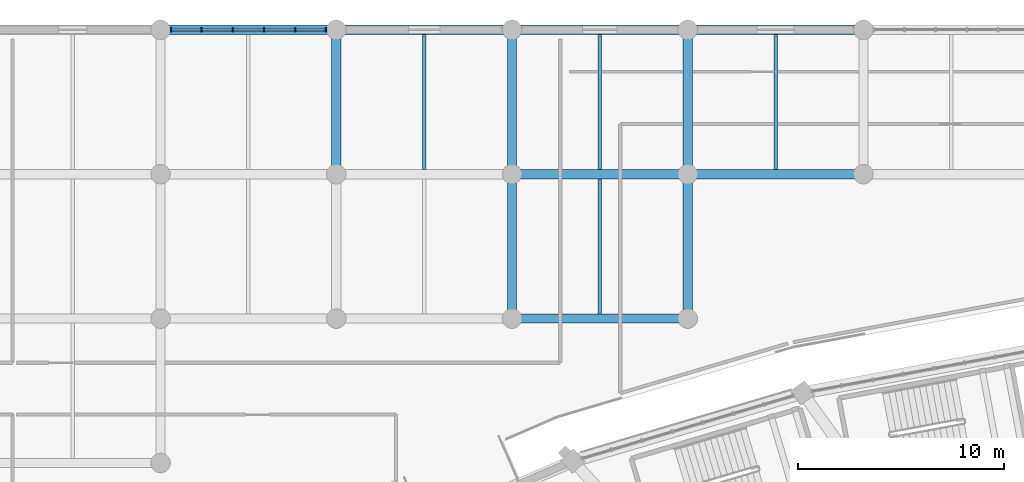
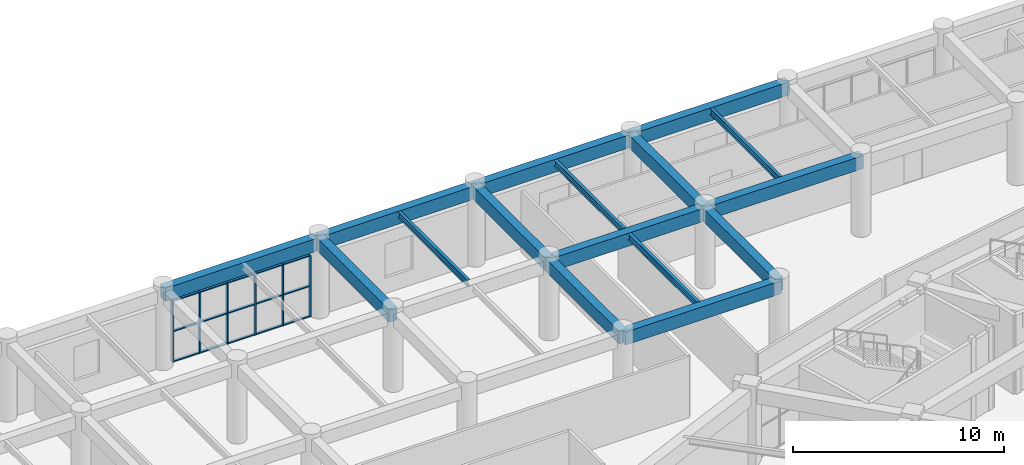
# One storey, part 61 of 152: 21 members, 16 beams, 1 element without a shape of its own.
"""IFC4 building model written with IfcOpenShell, lengths in metres."""

from ifc_helpers import new_model, si_unit, direction, frame, origin, origin_2d, place, context, subcontext, project, spatial, rectangle, i_section, extrude, material, layer, layer_set, material_profile, profile_set, type_object, element, aggregate, save


model = new_model("IFC4")

# Units and contexts
model_context = context("Model", 3, precision=1e-05, world=origin(), true_north=direction((0.0, 1.0)))
body_context = subcontext(model_context, "Body", "Model", "MODEL_VIEW")
ifc_project = project(units=[si_unit("LENGTHUNIT", "METRE"), si_unit("AREAUNIT", "SQUARE_METRE"), si_unit("VOLUMEUNIT", "CUBIC_METRE"), si_unit("PLANEANGLEUNIT", "RADIAN"), si_unit("MASSUNIT", "GRAM", prefix="KILO")], contexts=[model_context])

# Site, building, storey
site_placement = place(None, origin())
site = spatial("IfcSite", under=ifc_project, at=site_placement, CompositionType="ELEMENT")
building_placement = place(site_placement, origin())
building = spatial("IfcBuilding", under=site, at=building_placement, Name="Mphavela Belvedere Stadium", CompositionType="ELEMENT")
storey_placement = place(building_placement, frame((0.0, 0.0, 5.39990234375)))
storey = spatial("IfcBuildingStorey", under=building, at=storey_placement, Name="L01", CompositionType="ELEMENT", Elevation=5.39990234375)

# Beams
ifc_material_1 = material(Name="Steel S355", Category="steel")
ifc_material_profile_1 = material_profile(ifc_material_1, i_section(OverallWidth=0.169921875, OverallDepth=0.360107421875, WebThickness=0.008056640625, FlangeThickness=0.0126953125, at=origin_2d()), Name="IPE 360")
ifc_profile_set_1 = profile_set([ifc_material_profile_1], Name="Steel S355")
beam_type_1 = type_object("IfcBeamType", Name="BM-JOIST-IPE360", PredefinedType="JOIST", material=ifc_profile_set_1)
for number, where, z_axis, x_axis, name in (
    (1, (46.85205078125, 167.22509765625, 4.360107421875), (0.0, 1.0, 0.0), (-1.0, 0.0, 0.0), "North Mast and Ceremonial End Forecourt secondary joist L01 6-7"),
    (2, (55.37060546875, 160.22509765625, 4.360107421875), (0.0, 1.0, 0.0), (-1.0, 0.0, 0.0), "North Mast and Ceremonial End Forecourt secondary joist L01 7-6"),
    (3, (55.37060546875, 167.22509765625, 4.360107421875), (0.0, 1.0, 0.0), (-1.0, 0.0, 0.0), "North Mast and Ceremonial End Forecourt secondary joist L01 7-7"),
    (4, (63.888916015625, 167.22509765625, 4.360107421875), (0.0, 1.0, 0.0), (-1.0, 0.0, 0.0), "North Mast and Ceremonial End Forecourt secondary joist L01 8-7"),
):
    element("IfcBeam", number, at=place(storey_placement, frame(where, z_axis=z_axis, x_axis=x_axis)), inside=storey, type_object=beam_type_1, Name=name, PredefinedType="JOIST", context=body_context, shape_type="SweptSolid", body=[
        extrude(i_section(OverallWidth=0.169921875, OverallDepth=0.360107421875, WebThickness=0.008056640625, FlangeThickness=0.0126953125, at=origin_2d()), origin(), (0.0, 0.0, 1.0), 6.5498046875),
    ])
ifc_material_2 = material(Name="Concrete C40/50", Category="concrete")
ifc_material_profile_2 = material_profile(ifc_material_2, rectangle(XDim=0.449951171875, YDim=0.75, at=origin_2d()), Name="RC 450x750")
ifc_profile_set_2 = profile_set([ifc_material_profile_2], Name="Concrete C40/50")
beam_type_2 = type_object("IfcBeamType", Name="BM-RC450x750", PredefinedType="BEAM", material=ifc_profile_set_2)
beam_1_placement = place(storey_placement, frame((34.073974609375, 174.0, 4.1650390625), z_axis=(1.0, 0.0, 0.0), x_axis=(0.0, 1.0, 0.0)))
element("IfcBeam", 5, at=beam_1_placement, inside=storey, type_object=beam_type_2, Name="North Mast and Ceremonial End Forecourt entablature beam X L01 5-8", PredefinedType="BEAM", context=body_context, shape_type="SweptSolid", body=[
    extrude(rectangle(XDim=0.449951171875, YDim=0.75, at=origin_2d()), origin(), (0.0, 0.0, 1.0), 8.51904296875),
])
beam_2_placement = place(storey_placement, frame((42.593017578125, 167.0, 4.1650390625), z_axis=(0.0, 1.0, 0.0), x_axis=(-1.0, 0.0, 0.0)))
element("IfcBeam", 6, at=beam_2_placement, inside=storey, type_object=beam_type_2, Name="North Mast and Ceremonial End Forecourt entablature beam Y L01 6-7", PredefinedType="BEAM", context=body_context, shape_type="SweptSolid", body=[
    extrude(rectangle(XDim=0.449951171875, YDim=0.75, at=origin_2d()), origin(), (0.0, 0.0, 1.0), 7.0),
])
beam_3_placement = place(storey_placement, frame((42.593017578125, 174.0, 4.1650390625), z_axis=(1.0, 0.0, 0.0), x_axis=(0.0, 1.0, 0.0)))
element("IfcBeam", 7, at=beam_3_placement, inside=storey, type_object=beam_type_2, Name="North Mast and Ceremonial End Forecourt entablature beam X L01 6-8", PredefinedType="BEAM", context=body_context, shape_type="SweptSolid", body=[
    extrude(rectangle(XDim=0.449951171875, YDim=0.75, at=origin_2d()), origin(), (0.0, 0.0, 1.0), 8.51806640625),
])
beam_4_placement = place(storey_placement, frame((51.111083984375, 160.0, 4.1650390625), z_axis=(1.0, 0.0, 0.0), x_axis=(0.0, 1.0, 0.0)))
element("IfcBeam", 8, at=beam_4_placement, inside=storey, type_object=beam_type_2, Name="North Mast and Ceremonial End Forecourt entablature beam X L01 7-6", PredefinedType="BEAM", context=body_context, shape_type="SweptSolid", body=[
    extrude(rectangle(XDim=0.449951171875, YDim=0.75, at=origin_2d()), origin(), (0.0, 0.0, 1.0), 8.518798828125),
])
beam_5_placement = place(storey_placement, frame((51.111083984375, 160.0, 4.1650390625), z_axis=(0.0, 1.0, 0.0), x_axis=(-1.0, 0.0, 0.0)))
element("IfcBeam", 9, at=beam_5_placement, inside=storey, type_object=beam_type_2, Name="North Mast and Ceremonial End Forecourt entablature beam Y L01 7-6", PredefinedType="BEAM", context=body_context, shape_type="SweptSolid", body=[
    extrude(rectangle(XDim=0.449951171875, YDim=0.75, at=origin_2d()), origin(), (0.0, 0.0, 1.0), 7.0),
])
beam_6_placement = place(storey_placement, frame((51.111083984375, 167.0, 4.1650390625), z_axis=(1.0, 0.0, 0.0), x_axis=(0.0, 1.0, 0.0)))
element("IfcBeam", 10, at=beam_6_placement, inside=storey, type_object=beam_type_2, Name="North Mast and Ceremonial End Forecourt entablature beam X L01 7-7", PredefinedType="BEAM", context=body_context, shape_type="SweptSolid", body=[
    extrude(rectangle(XDim=0.449951171875, YDim=0.75, at=origin_2d()), origin(), (0.0, 0.0, 1.0), 8.518798828125),
])
beam_7_placement = place(storey_placement, frame((51.111083984375, 167.0, 4.1650390625), z_axis=(0.0, 1.0, 0.0), x_axis=(-1.0, 0.0, 0.0)))
element("IfcBeam", 11, at=beam_7_placement, inside=storey, type_object=beam_type_2, Name="North Mast and Ceremonial End Forecourt entablature beam Y L01 7-7", PredefinedType="BEAM", context=body_context, shape_type="SweptSolid", body=[
    extrude(rectangle(XDim=0.449951171875, YDim=0.75, at=origin_2d()), origin(), (0.0, 0.0, 1.0), 7.0),
])
beam_8_placement = place(storey_placement, frame((51.111083984375, 174.0, 4.1650390625), z_axis=(1.0, 0.0, 0.0), x_axis=(0.0, 1.0, 0.0)))
element("IfcBeam", 12, at=beam_8_placement, inside=storey, type_object=beam_type_2, Name="North Mast and Ceremonial End Forecourt entablature beam X L01 7-8", PredefinedType="BEAM", context=body_context, shape_type="SweptSolid", body=[
    extrude(rectangle(XDim=0.449951171875, YDim=0.75, at=origin_2d()), origin(), (0.0, 0.0, 1.0), 8.518798828125),
])
beam_9_placement = place(storey_placement, frame((59.6298828125, 160.0, 4.1650390625), z_axis=(0.0, 1.0, 0.0), x_axis=(-1.0, 0.0, 0.0)))
element("IfcBeam", 13, at=beam_9_placement, inside=storey, type_object=beam_type_2, Name="North Mast and Ceremonial End Forecourt entablature beam Y L01 8-6", PredefinedType="BEAM", context=body_context, shape_type="SweptSolid", body=[
    extrude(rectangle(XDim=0.449951171875, YDim=0.75, at=origin_2d()), origin(), (0.0, 0.0, 1.0), 7.0),
])
beam_10_placement = place(storey_placement, frame((59.6298828125, 167.0, 4.1650390625), z_axis=(1.0, 0.0, 0.0), x_axis=(0.0, 1.0, 0.0)))
element("IfcBeam", 14, at=beam_10_placement, inside=storey, type_object=beam_type_2, Name="North Mast and Ceremonial End Forecourt entablature beam X L01 8-7", PredefinedType="BEAM", context=body_context, shape_type="SweptSolid", body=[
    extrude(rectangle(XDim=0.449951171875, YDim=0.75, at=origin_2d()), origin(), (0.0, 0.0, 1.0), 8.51806640625),
])
beam_11_placement = place(storey_placement, frame((59.6298828125, 167.0, 4.1650390625), z_axis=(0.0, 1.0, 0.0), x_axis=(-1.0, 0.0, 0.0)))
element("IfcBeam", 15, at=beam_11_placement, inside=storey, type_object=beam_type_2, Name="North Mast and Ceremonial End Forecourt entablature beam Y L01 8-7", PredefinedType="BEAM", context=body_context, shape_type="SweptSolid", body=[
    extrude(rectangle(XDim=0.449951171875, YDim=0.75, at=origin_2d()), origin(), (0.0, 0.0, 1.0), 7.0),
])
beam_12_placement = place(storey_placement, frame((59.6298828125, 174.0, 4.1650390625), z_axis=(1.0, 0.0, 0.0), x_axis=(0.0, 1.0, 0.0)))
element("IfcBeam", 16, at=beam_12_placement, inside=storey, type_object=beam_type_2, Name="North Mast and Ceremonial End Forecourt entablature beam X L01 8-8", PredefinedType="BEAM", context=body_context, shape_type="SweptSolid", body=[
    extrude(rectangle(XDim=0.449951171875, YDim=0.75, at=origin_2d()), origin(), (0.0, 0.0, 1.0), 8.51806640625),
])

# Curtain wall, members
ifc_material_3 = material(Name="Anodised bronze unitised curtain wall framing")
ifc_layer = layer(ifc_material_3, 0.179931640625)
ifc_layer_set = layer_set([ifc_layer], Name="Anodised bronze unitised curtain wall framing")
curtain_wall_type = type_object("IfcCurtainWallType", Name="CW-UNIT-01", PredefinedType="USERDEFINED", material=ifc_layer_set)
curtain_wall_placement = place(storey_placement, origin())
curtain_wall = element("IfcCurtainWall", 17, at=curtain_wall_placement, inside=storey, type_object=curtain_wall_type, Name="North Mast and Ceremonial End Forecourt gallery curtain wall L01-05", ObjectType="UNITISED CURTAIN WALL", PredefinedType="USERDEFINED")
ifc_material_4 = material(Name="Anodised bronze extruded aluminium", Category="aluminium")
ifc_material_profile_3 = material_profile(ifc_material_4, rectangle(XDim=0.179931640625, YDim=0.06494140625, at=origin_2d()), Name="CW-MUL 180x65")
ifc_profile_set_3 = profile_set([ifc_material_profile_3], Name="Anodised bronze extruded aluminium")
member_type_1 = type_object("IfcMemberType", Name="CWM-180x65", PredefinedType="MULLION", material=ifc_profile_set_3)
member_1_placement = place(storey_placement, frame((34.57958984375, 174.0, 0.0), z_axis=(0.0, 0.0, 1.0), x_axis=(0.0, 1.0, 0.0)))
member_1 = element("IfcMember", 18, at=member_1_placement, type_object=member_type_1, Name="CW-01 mullion 1", PredefinedType="MULLION", context=body_context, shape_type="SweptSolid", body=[
    extrude(rectangle(XDim=0.179931640625, YDim=0.06494140625, at=origin_2d()), origin(), (0.0, 0.0, 1.0), 3.56005859375),
])
member_2_placement = place(storey_placement, frame((36.0615234375, 174.0, 0.0), z_axis=(0.0, 0.0, 1.0), x_axis=(0.0, 1.0, 0.0)))
member_2 = element("IfcMember", 19, at=member_2_placement, type_object=member_type_1, Name="CW-01 mullion 2", PredefinedType="MULLION", context=body_context, shape_type="SweptSolid", body=[
    extrude(rectangle(XDim=0.179931640625, YDim=0.06494140625, at=origin_2d()), origin(), (0.0, 0.0, 1.0), 3.56005859375),
])
member_3_placement = place(storey_placement, frame((37.576171875, 174.0, 0.0), z_axis=(0.0, 0.0, 1.0), x_axis=(0.0, 1.0, 0.0)))
member_3 = element("IfcMember", 20, at=member_3_placement, type_object=member_type_1, Name="CW-01 mullion 3", PredefinedType="MULLION", context=body_context, shape_type="SweptSolid", body=[
    extrude(rectangle(XDim=0.179931640625, YDim=0.06494140625, at=origin_2d()), origin(), (0.0, 0.0, 1.0), 3.56005859375),
])
member_4_placement = place(storey_placement, frame((39.0908203125, 174.0, 0.0), z_axis=(0.0, 0.0, 1.0), x_axis=(0.0, 1.0, 0.0)))
member_4 = element("IfcMember", 21, at=member_4_placement, type_object=member_type_1, Name="CW-01 mullion 4", PredefinedType="MULLION", context=body_context, shape_type="SweptSolid", body=[
    extrude(rectangle(XDim=0.179931640625, YDim=0.06494140625, at=origin_2d()), origin(), (0.0, 0.0, 1.0), 3.56005859375),
])
member_5_placement = place(storey_placement, frame((40.60546875, 174.0, 0.0), z_axis=(0.0, 0.0, 1.0), x_axis=(0.0, 1.0, 0.0)))
member_5 = element("IfcMember", 22, at=member_5_placement, type_object=member_type_1, Name="CW-01 mullion 5", PredefinedType="MULLION", context=body_context, shape_type="SweptSolid", body=[
    extrude(rectangle(XDim=0.179931640625, YDim=0.06494140625, at=origin_2d()), origin(), (0.0, 0.0, 1.0), 3.56005859375),
])
member_6_placement = place(storey_placement, frame((42.08740234375, 174.0, 0.0), z_axis=(0.0, 0.0, 1.0), x_axis=(0.0, 1.0, 0.0)))
member_6 = element("IfcMember", 23, at=member_6_placement, type_object=member_type_1, Name="CW-01 mullion 6", PredefinedType="MULLION", context=body_context, shape_type="SweptSolid", body=[
    extrude(rectangle(XDim=0.179931640625, YDim=0.06494140625, at=origin_2d()), origin(), (0.0, 0.0, 1.0), 3.56005859375),
])
ifc_material_5 = material(Name="Anodised bronze extruded aluminium", Category="aluminium")
ifc_material_profile_4 = material_profile(ifc_material_5, rectangle(XDim=0.139892578125, YDim=0.06005859375, at=origin_2d()), Name="CW-TRN 140x60")
ifc_profile_set_4 = profile_set([ifc_material_profile_4], Name="Anodised bronze extruded aluminium")
member_type_2 = type_object("IfcMemberType", Name="CWT-140x60", PredefinedType="USERDEFINED", material=ifc_profile_set_4)
member_7_placement = place(storey_placement, frame((34.612060546875, 174.0, 0.030029296875), z_axis=(1.0, 0.0, 0.0), x_axis=(0.0, 1.0, 0.0)))
member_7 = element("IfcMember", 24, at=member_7_placement, type_object=member_type_2, Name="CW-01 transom 1.1", ObjectType="TRANSOM", PredefinedType="USERDEFINED", context=body_context, shape_type="SweptSolid", body=[
    extrude(rectangle(XDim=0.139892578125, YDim=0.06005859375, at=origin_2d()), origin(), (0.0, 0.0, 1.0), 1.4169921875),
])
member_8_placement = place(storey_placement, frame((34.612060546875, 174.0, 1.780029296875), z_axis=(1.0, 0.0, 0.0), x_axis=(0.0, 1.0, 0.0)))
member_8 = element("IfcMember", 25, at=member_8_placement, type_object=member_type_2, Name="CW-01 transom 1.2", ObjectType="TRANSOM", PredefinedType="USERDEFINED", context=body_context, shape_type="SweptSolid", body=[
    extrude(rectangle(XDim=0.139892578125, YDim=0.06005859375, at=origin_2d()), origin(), (0.0, 0.0, 1.0), 1.4169921875),
])
member_9_placement = place(storey_placement, frame((34.612060546875, 174.0, 3.530029296875), z_axis=(1.0, 0.0, 0.0), x_axis=(0.0, 1.0, 0.0)))
member_9 = element("IfcMember", 26, at=member_9_placement, type_object=member_type_2, Name="CW-01 transom 1.3", ObjectType="TRANSOM", PredefinedType="USERDEFINED", context=body_context, shape_type="SweptSolid", body=[
    extrude(rectangle(XDim=0.139892578125, YDim=0.06005859375, at=origin_2d()), origin(), (0.0, 0.0, 1.0), 1.4169921875),
])
member_10_placement = place(storey_placement, frame((36.093994140625, 174.0, 0.030029296875), z_axis=(1.0, 0.0, 0.0), x_axis=(0.0, 1.0, 0.0)))
member_10 = element("IfcMember", 27, at=member_10_placement, type_object=member_type_2, Name="CW-01 transom 2.1", ObjectType="TRANSOM", PredefinedType="USERDEFINED", context=body_context, shape_type="SweptSolid", body=[
    extrude(rectangle(XDim=0.139892578125, YDim=0.06005859375, at=origin_2d()), origin(), (0.0, 0.0, 1.0), 1.44970703125),
])
member_11_placement = place(storey_placement, frame((36.093994140625, 174.0, 1.780029296875), z_axis=(1.0, 0.0, 0.0), x_axis=(0.0, 1.0, 0.0)))
member_11 = element("IfcMember", 28, at=member_11_placement, type_object=member_type_2, Name="CW-01 transom 2.2", ObjectType="TRANSOM", PredefinedType="USERDEFINED", context=body_context, shape_type="SweptSolid", body=[
    extrude(rectangle(XDim=0.139892578125, YDim=0.06005859375, at=origin_2d()), origin(), (0.0, 0.0, 1.0), 1.44970703125),
])
member_12_placement = place(storey_placement, frame((36.093994140625, 174.0, 3.530029296875), z_axis=(1.0, 0.0, 0.0), x_axis=(0.0, 1.0, 0.0)))
member_12 = element("IfcMember", 29, at=member_12_placement, type_object=member_type_2, Name="CW-01 transom 2.3", ObjectType="TRANSOM", PredefinedType="USERDEFINED", context=body_context, shape_type="SweptSolid", body=[
    extrude(rectangle(XDim=0.139892578125, YDim=0.06005859375, at=origin_2d()), origin(), (0.0, 0.0, 1.0), 1.44970703125),
])
member_13_placement = place(storey_placement, frame((37.608642578125, 174.0, 0.030029296875), z_axis=(1.0, 0.0, 0.0), x_axis=(0.0, 1.0, 0.0)))
member_13 = element("IfcMember", 30, at=member_13_placement, type_object=member_type_2, Name="CW-01 transom 3.1", ObjectType="TRANSOM", PredefinedType="USERDEFINED", context=body_context, shape_type="SweptSolid", body=[
    extrude(rectangle(XDim=0.139892578125, YDim=0.06005859375, at=origin_2d()), origin(), (0.0, 0.0, 1.0), 1.44970703125),
])
member_14_placement = place(storey_placement, frame((37.608642578125, 174.0, 1.780029296875), z_axis=(1.0, 0.0, 0.0), x_axis=(0.0, 1.0, 0.0)))
member_14 = element("IfcMember", 31, at=member_14_placement, type_object=member_type_2, Name="CW-01 transom 3.2", ObjectType="TRANSOM", PredefinedType="USERDEFINED", context=body_context, shape_type="SweptSolid", body=[
    extrude(rectangle(XDim=0.139892578125, YDim=0.06005859375, at=origin_2d()), origin(), (0.0, 0.0, 1.0), 1.44970703125),
])
member_15_placement = place(storey_placement, frame((37.608642578125, 174.0, 3.530029296875), z_axis=(1.0, 0.0, 0.0), x_axis=(0.0, 1.0, 0.0)))
member_15 = element("IfcMember", 32, at=member_15_placement, type_object=member_type_2, Name="CW-01 transom 3.3", ObjectType="TRANSOM", PredefinedType="USERDEFINED", context=body_context, shape_type="SweptSolid", body=[
    extrude(rectangle(XDim=0.139892578125, YDim=0.06005859375, at=origin_2d()), origin(), (0.0, 0.0, 1.0), 1.44970703125),
])
member_16_placement = place(storey_placement, frame((39.123291015625, 174.0, 0.030029296875), z_axis=(1.0, 0.0, 0.0), x_axis=(0.0, 1.0, 0.0)))
member_16 = element("IfcMember", 33, at=member_16_placement, type_object=member_type_2, Name="CW-01 transom 4.1", ObjectType="TRANSOM", PredefinedType="USERDEFINED", context=body_context, shape_type="SweptSolid", body=[
    extrude(rectangle(XDim=0.139892578125, YDim=0.06005859375, at=origin_2d()), origin(), (0.0, 0.0, 1.0), 1.44970703125),
])
member_17_placement = place(storey_placement, frame((39.123291015625, 174.0, 1.780029296875), z_axis=(1.0, 0.0, 0.0), x_axis=(0.0, 1.0, 0.0)))
member_17 = element("IfcMember", 34, at=member_17_placement, type_object=member_type_2, Name="CW-01 transom 4.2", ObjectType="TRANSOM", PredefinedType="USERDEFINED", context=body_context, shape_type="SweptSolid", body=[
    extrude(rectangle(XDim=0.139892578125, YDim=0.06005859375, at=origin_2d()), origin(), (0.0, 0.0, 1.0), 1.44970703125),
])
member_18_placement = place(storey_placement, frame((39.123291015625, 174.0, 3.530029296875), z_axis=(1.0, 0.0, 0.0), x_axis=(0.0, 1.0, 0.0)))
member_18 = element("IfcMember", 35, at=member_18_placement, type_object=member_type_2, Name="CW-01 transom 4.3", ObjectType="TRANSOM", PredefinedType="USERDEFINED", context=body_context, shape_type="SweptSolid", body=[
    extrude(rectangle(XDim=0.139892578125, YDim=0.06005859375, at=origin_2d()), origin(), (0.0, 0.0, 1.0), 1.44970703125),
])
member_19_placement = place(storey_placement, frame((40.637939453125, 174.0, 0.030029296875), z_axis=(1.0, 0.0, 0.0), x_axis=(0.0, 1.0, 0.0)))
member_19 = element("IfcMember", 36, at=member_19_placement, type_object=member_type_2, Name="CW-01 transom 5.1", ObjectType="TRANSOM", PredefinedType="USERDEFINED", context=body_context, shape_type="SweptSolid", body=[
    extrude(rectangle(XDim=0.139892578125, YDim=0.06005859375, at=origin_2d()), origin(), (0.0, 0.0, 1.0), 1.4169921875),
])
member_20_placement = place(storey_placement, frame((40.637939453125, 174.0, 1.780029296875), z_axis=(1.0, 0.0, 0.0), x_axis=(0.0, 1.0, 0.0)))
member_20 = element("IfcMember", 37, at=member_20_placement, type_object=member_type_2, Name="CW-01 transom 5.2", ObjectType="TRANSOM", PredefinedType="USERDEFINED", context=body_context, shape_type="SweptSolid", body=[
    extrude(rectangle(XDim=0.139892578125, YDim=0.06005859375, at=origin_2d()), origin(), (0.0, 0.0, 1.0), 1.4169921875),
])
member_21_placement = place(storey_placement, frame((40.637939453125, 174.0, 3.530029296875), z_axis=(1.0, 0.0, 0.0), x_axis=(0.0, 1.0, 0.0)))
member_21 = element("IfcMember", 38, at=member_21_placement, type_object=member_type_2, Name="CW-01 transom 5.3", ObjectType="TRANSOM", PredefinedType="USERDEFINED", context=body_context, shape_type="SweptSolid", body=[
    extrude(rectangle(XDim=0.139892578125, YDim=0.06005859375, at=origin_2d()), origin(), (0.0, 0.0, 1.0), 1.4169921875),
])
aggregate(curtain_wall, [member_1, member_2, member_3, member_4, member_5, member_6, member_7, member_8, member_9, member_10, member_11, member_12, member_13, member_14, member_15, member_16, member_17, member_18, member_19, member_20, member_21])

save(model, "model.ifc")
